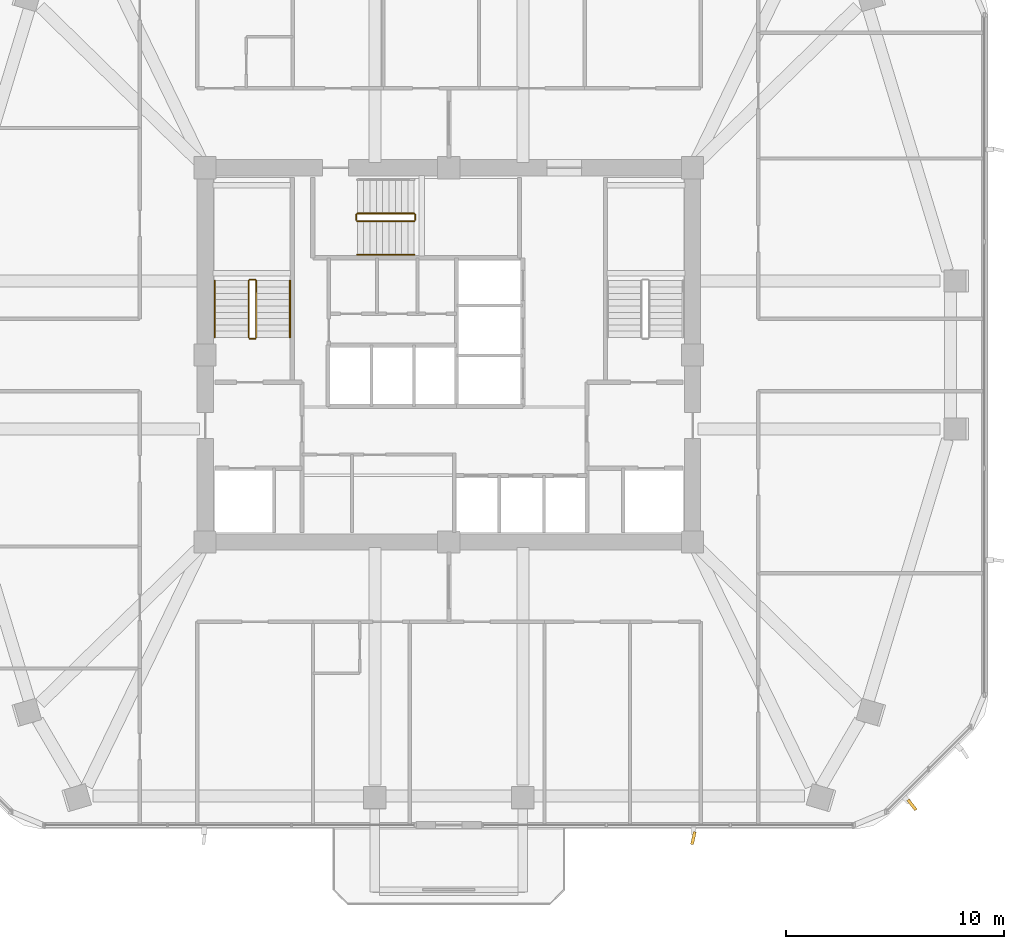
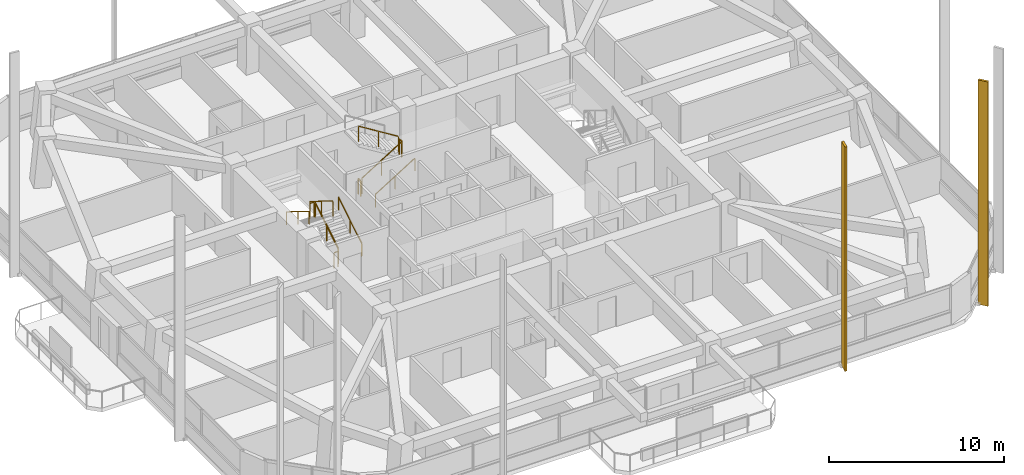
# One storey, part 13 of 15: 11 railings, 2 shading devices.
"""IFC4 building model written with IfcOpenShell, lengths in metres."""

from ifc_helpers import new_model, si_unit, derived_unit, direction, frame, origin, origin_2d, place, context, subcontext, project, spatial, rectangle, extrude, material, type_object, element, save


model = new_model("IFC4")

# Units and contexts
model_context = context("Model", 3, precision=1e-05, world=origin(), true_north=direction((0.0, 1.0)))
body_context = subcontext(model_context, "Body", "Model", "MODEL_VIEW")
ifc_project = project(units=[si_unit("LENGTHUNIT", "METRE"), si_unit("AREAUNIT", "SQUARE_METRE"), si_unit("VOLUMEUNIT", "CUBIC_METRE"), si_unit("PLANEANGLEUNIT", "RADIAN"), si_unit("MASSUNIT", "GRAM", prefix="KILO"), derived_unit("THERMALTRANSMITTANCEUNIT", [(si_unit("POWERUNIT", "WATT"), 1), (si_unit("LENGTHUNIT", "METRE"), -2), (si_unit("THERMODYNAMICTEMPERATUREUNIT", "KELVIN"), -1)])], contexts=[model_context])

# Site, building, storey
site_placement = place(None, origin())
site = spatial("IfcSite", under=ifc_project, at=site_placement, CompositionType="ELEMENT")
building_placement = place(site_placement, origin())
building = spatial("IfcBuilding", under=site, at=building_placement, Name="Koralith Skygarden Medical Center", CompositionType="ELEMENT")
storey_placement = place(building_placement, frame((0.0, 0.0, 113.580078125)))
storey = spatial("IfcBuildingStorey", under=building, at=storey_placement, Name="L29", CompositionType="ELEMENT", Elevation=113.580078125)

# Shading devices
ifc_material_1 = material(Name="Aluminium 6063-T6", Category="aluminium")
shading_device_type = type_object("IfcShadingDeviceType", Name="Limestone-Clad Solar Storm Fin 600", PredefinedType="USERDEFINED", material=ifc_material_1)
for number, where, z_axis, x_axis, name in (
    (1, (48.239990234375, 3.698974609375, -0.199951171875), (0.0, 0.0, 1.0), (-0.215553466771, -0.976492039375, 0.0), "L29 S Harmonic Solar Storm Fin 2"),
    (2, (58.281982421875, 5.22412109375, -0.199951171875), (0.0, 0.0, 1.0), (0.623634044029, -0.781716431405, 0.0), "L29 SE Harmonic Solar Storm Fin 1"),
):
    element("IfcShadingDevice", number, at=place(storey_placement, frame(where, z_axis=z_axis, x_axis=x_axis)), inside=storey, type_object=shading_device_type, Name=name, ObjectType="SOLAR FIN", PredefinedType="USERDEFINED", context=body_context, shape_type="SweptSolid", body=[
        extrude(rectangle(XDim=0.60009765625, YDim=0.139892578125, at=origin_2d()), origin(), (0.0, 0.0, 1.0), 15.6298828125),
    ])

# Railings
ifc_material_2 = material(Name="Steel ASTM A500 Grade C", Category="steel")
railing_type_1 = type_object("IfcRailingType", Name="Stair Flight Tubular Handrail 920", PredefinedType="HANDRAIL", material=ifc_material_2)
railing_1_placement = place(storey_placement, frame((29.699951171875, 26.699951171875, 0.179931640625)))
element("IfcRailing", 3, at=railing_1_placement, inside=storey, type_object=railing_type_1, Name="L29 ST1 stair handrail 1", PredefinedType="HANDRAIL", context=body_context, shape_type="SweptSolid", body=[
    extrude(rectangle(XDim=0.050048828125, YDim=0.050048828125, at=origin_2d()), frame((0.0, 0.001708984375, 0.89599609375), z_axis=(0.0, 0.849668407637, 0.527317358963), x_axis=(-1.0, 0.0, 0.0)), (0.0, 0.0, 1.0), 3.06787109375),
    extrude(rectangle(XDim=0.0419921875, YDim=0.0419921875, at=origin_2d()), origin(), (0.0, 0.0, 1.0), 0.867919921875),
    extrude(rectangle(XDim=0.0419921875, YDim=0.0419921875, at=origin_2d()), frame((0.0, 1.30517578125, 0.81005859375)), (0.0, 0.0, 1.0), 0.867919921875),
    extrude(rectangle(XDim=0.0419921875, YDim=0.0419921875, at=origin_2d()), frame((0.0, 2.610107421875, 1.619873046875)), (0.0, 0.0, 1.0), 0.867919921875),
])
railing_2_placement = place(storey_placement, frame((26.25, 29.31005859375, 1.97998046875)))
element("IfcRailing", 4, at=railing_2_placement, inside=storey, type_object=railing_type_1, Name="L29 ST1 stair handrail 2", PredefinedType="HANDRAIL", context=body_context, shape_type="SweptSolid", body=[
    extrude(rectangle(XDim=0.050048828125, YDim=0.050048828125, at=origin_2d()), frame((0.0, -0.001708984375, 0.89599609375), z_axis=(0.0, -0.849668407637, 0.527317358963), x_axis=(1.0, 0.0, 0.0)), (0.0, 0.0, 1.0), 3.06787109375),
    extrude(rectangle(XDim=0.0419921875, YDim=0.0419921875, at=origin_2d()), origin(), (0.0, 0.0, 1.0), 0.867919921875),
    extrude(rectangle(XDim=0.0419921875, YDim=0.0419921875, at=origin_2d()), frame((0.0, -1.30517578125, 0.81005859375)), (0.0, 0.0, 1.0), 0.867919921875),
    extrude(rectangle(XDim=0.0419921875, YDim=0.0419921875, at=origin_2d()), frame((0.0, -2.610107421875, 1.619873046875)), (0.0, 0.0, 1.0), 0.867919921875),
])
railing_3_placement = place(storey_placement, frame((32.800048828125, 30.5, 0.179931640625)))
element("IfcRailing", 5, at=railing_3_placement, inside=storey, type_object=railing_type_1, Name="L29 ST3 stair handrail 1", PredefinedType="HANDRAIL", context=body_context, shape_type="SweptSolid", body=[
    extrude(rectangle(XDim=0.050048828125, YDim=0.050048828125, at=origin_2d()), frame((0.001708984375, 0.0, 0.89599609375), z_axis=(0.849646306263, 0.0, 0.527352969322), x_axis=(0.0, 1.0, 0.0)), (0.0, 0.0, 1.0), 3.067626953125),
    extrude(rectangle(XDim=0.0419921875, YDim=0.0419921875, at=origin_2d()), origin(), (0.0, 0.0, 1.0), 0.867919921875),
    extrude(rectangle(XDim=0.0419921875, YDim=0.0419921875, at=origin_2d()), frame((1.304931640625, 0.0, 0.81005859375)), (0.0, 0.0, 1.0), 0.867919921875),
    extrude(rectangle(XDim=0.0419921875, YDim=0.0419921875, at=origin_2d()), frame((2.60986328125, 0.0, 1.619873046875)), (0.0, 0.0, 1.0), 0.867919921875),
])
railing_type_2 = type_object("IfcRailingType", Name="Stair Well Safety Guardrail 1100", PredefinedType="GUARDRAIL", material=ifc_material_2)
railing_4_placement = place(storey_placement, frame((28.14990234375, 26.699951171875, 0.179931640625)))
element("IfcRailing", 6, at=railing_4_placement, inside=storey, type_object=railing_type_2, Name="L29 ST1 stair guard 1", PredefinedType="GUARDRAIL", context=body_context, shape_type="SweptSolid", body=[
    extrude(rectangle(XDim=0.050048828125, YDim=0.050048828125, at=origin_2d()), frame((0.0, 0.001708984375, 1.076171875), z_axis=(0.0, 0.849668407637, 0.527317358963), x_axis=(-1.0, 0.0, 0.0)), (0.0, 0.0, 1.0), 3.06787109375),
    extrude(rectangle(XDim=0.0419921875, YDim=0.0419921875, at=origin_2d()), origin(), (0.0, 0.0, 1.0), 1.048095703125),
    extrude(rectangle(XDim=0.0419921875, YDim=0.0419921875, at=origin_2d()), frame((0.0, 1.30517578125, 0.81005859375)), (0.0, 0.0, 1.0), 1.048095703125),
    extrude(rectangle(XDim=0.0419921875, YDim=0.0419921875, at=origin_2d()), frame((0.0, 2.610107421875, 1.619873046875)), (0.0, 0.0, 1.0), 1.048095703125),
])
railing_5_placement = place(storey_placement, frame((28.10009765625, 29.360107421875, 1.7998046875)))
element("IfcRailing", 7, at=railing_5_placement, inside=storey, type_object=railing_type_2, Name="L29 ST1 stair guard 2", PredefinedType="GUARDRAIL", context=body_context, shape_type="SweptSolid", body=[
    extrude(rectangle(XDim=0.050048828125, YDim=0.050048828125, at=origin_2d()), frame((-0.001953125, 0.0, 1.0751953125), z_axis=(-1.0, 0.0, 0.0), x_axis=(0.0, -1.0, 0.0)), (0.0, 0.0, 1.0), 0.24609375),
    extrude(rectangle(XDim=0.0419921875, YDim=0.0419921875, at=origin_2d()), origin(), (0.0, 0.0, 1.0), 1.048095703125),
    extrude(rectangle(XDim=0.0419921875, YDim=0.0419921875, at=origin_2d()), frame((-0.25, 0.0, 0.0)), (0.0, 0.0, 1.0), 1.048095703125),
])
railing_6_placement = place(storey_placement, frame((27.800048828125, 29.31005859375, 1.97998046875)))
element("IfcRailing", 8, at=railing_6_placement, inside=storey, type_object=railing_type_2, Name="L29 ST1 stair guard 3", PredefinedType="GUARDRAIL", context=body_context, shape_type="SweptSolid", body=[
    extrude(rectangle(XDim=0.050048828125, YDim=0.050048828125, at=origin_2d()), frame((0.0, -0.001708984375, 1.076171875), z_axis=(0.0, -0.849668407637, 0.527317358963), x_axis=(1.0, 0.0, 0.0)), (0.0, 0.0, 1.0), 3.06787109375),
    extrude(rectangle(XDim=0.0419921875, YDim=0.0419921875, at=origin_2d()), origin(), (0.0, 0.0, 1.0), 1.048095703125),
    extrude(rectangle(XDim=0.0419921875, YDim=0.0419921875, at=origin_2d()), frame((0.0, -1.30517578125, 0.81005859375)), (0.0, 0.0, 1.0), 1.048095703125),
    extrude(rectangle(XDim=0.0419921875, YDim=0.0419921875, at=origin_2d()), frame((0.0, -2.610107421875, 1.619873046875)), (0.0, 0.0, 1.0), 1.048095703125),
])
railing_7_placement = place(storey_placement, frame((28.10009765625, 26.64990234375, 0.0)))
element("IfcRailing", 9, at=railing_7_placement, inside=storey, type_object=railing_type_2, Name="L29 ST1 stair guard 4", PredefinedType="GUARDRAIL", context=body_context, shape_type="SweptSolid", body=[
    extrude(rectangle(XDim=0.050048828125, YDim=0.050048828125, at=origin_2d()), frame((-0.001953125, 0.0, 1.0751953125), z_axis=(-1.0, 0.0, 0.0), x_axis=(0.0, -1.0, 0.0)), (0.0, 0.0, 1.0), 0.24609375),
    extrude(rectangle(XDim=0.0419921875, YDim=0.0419921875, at=origin_2d()), origin(), (0.0, 0.0, 1.0), 1.048095703125),
    extrude(rectangle(XDim=0.0419921875, YDim=0.0419921875, at=origin_2d()), frame((-0.25, 0.0, 0.0)), (0.0, 0.0, 1.0), 1.048095703125),
])
railing_8_placement = place(storey_placement, frame((32.800048828125, 32.050048828125, 0.179931640625)))
element("IfcRailing", 10, at=railing_8_placement, inside=storey, type_object=railing_type_2, Name="L29 ST3 stair guard 1", PredefinedType="GUARDRAIL", context=body_context, shape_type="SweptSolid", body=[
    extrude(rectangle(XDim=0.050048828125, YDim=0.050048828125, at=origin_2d()), frame((0.001708984375, 0.0, 1.076171875), z_axis=(0.849646306263, 0.0, 0.527352969322), x_axis=(0.0, 1.0, 0.0)), (0.0, 0.0, 1.0), 3.067626953125),
    extrude(rectangle(XDim=0.0419921875, YDim=0.0419921875, at=origin_2d()), origin(), (0.0, 0.0, 1.0), 1.048095703125),
    extrude(rectangle(XDim=0.0419921875, YDim=0.0419921875, at=origin_2d()), frame((1.304931640625, 0.0, 0.81005859375)), (0.0, 0.0, 1.0), 1.048095703125),
    extrude(rectangle(XDim=0.0419921875, YDim=0.0419921875, at=origin_2d()), frame((2.60986328125, 0.0, 1.619873046875)), (0.0, 0.0, 1.0), 1.048095703125),
])
railing_9_placement = place(storey_placement, frame((35.4599609375, 32.10009765625, 1.7998046875)))
element("IfcRailing", 11, at=railing_9_placement, inside=storey, type_object=railing_type_2, Name="L29 ST3 stair guard 2", PredefinedType="GUARDRAIL", context=body_context, shape_type="SweptSolid", body=[
    extrude(rectangle(XDim=0.050048828125, YDim=0.050048828125, at=origin_2d()), frame((0.0, 0.001953125, 1.0751953125), z_axis=(0.0, 1.0, 0.0), x_axis=(-1.0, 0.0, 0.0)), (0.0, 0.0, 1.0), 0.24609375),
    extrude(rectangle(XDim=0.0419921875, YDim=0.0419921875, at=origin_2d()), origin(), (0.0, 0.0, 1.0), 1.048095703125),
    extrude(rectangle(XDim=0.0419921875, YDim=0.0419921875, at=origin_2d()), frame((0.0, 0.25, 0.0)), (0.0, 0.0, 1.0), 1.048095703125),
])
railing_10_placement = place(storey_placement, frame((35.409912109375, 32.39990234375, 1.97998046875)))
element("IfcRailing", 12, at=railing_10_placement, inside=storey, type_object=railing_type_2, Name="L29 ST3 stair guard 3", PredefinedType="GUARDRAIL", context=body_context, shape_type="SweptSolid", body=[
    extrude(rectangle(XDim=0.050048828125, YDim=0.050048828125, at=origin_2d()), frame((-0.001708984375, 0.0, 1.076171875), z_axis=(-0.849646306263, 0.0, 0.527352969322), x_axis=(0.0, -1.0, 0.0)), (0.0, 0.0, 1.0), 3.067626953125),
    extrude(rectangle(XDim=0.0419921875, YDim=0.0419921875, at=origin_2d()), origin(), (0.0, 0.0, 1.0), 1.048095703125),
    extrude(rectangle(XDim=0.0419921875, YDim=0.0419921875, at=origin_2d()), frame((-1.304931640625, 0.0, 0.81005859375)), (0.0, 0.0, 1.0), 1.048095703125),
    extrude(rectangle(XDim=0.0419921875, YDim=0.0419921875, at=origin_2d()), frame((-2.60986328125, 0.0, 1.619873046875)), (0.0, 0.0, 1.0), 1.048095703125),
])
railing_11_placement = place(storey_placement, frame((32.75, 32.10009765625, 0.0)))
element("IfcRailing", 13, at=railing_11_placement, inside=storey, type_object=railing_type_2, Name="L29 ST3 stair guard 4", PredefinedType="GUARDRAIL", context=body_context, shape_type="SweptSolid", body=[
    extrude(rectangle(XDim=0.050048828125, YDim=0.050048828125, at=origin_2d()), frame((0.0, 0.001953125, 1.0751953125), z_axis=(0.0, 1.0, 0.0), x_axis=(-1.0, 0.0, 0.0)), (0.0, 0.0, 1.0), 0.24609375),
    extrude(rectangle(XDim=0.0419921875, YDim=0.0419921875, at=origin_2d()), origin(), (0.0, 0.0, 1.0), 1.048095703125),
    extrude(rectangle(XDim=0.0419921875, YDim=0.0419921875, at=origin_2d()), frame((0.0, 0.25, 0.0)), (0.0, 0.0, 1.0), 1.048095703125),
])

save(model, "model.ifc")
